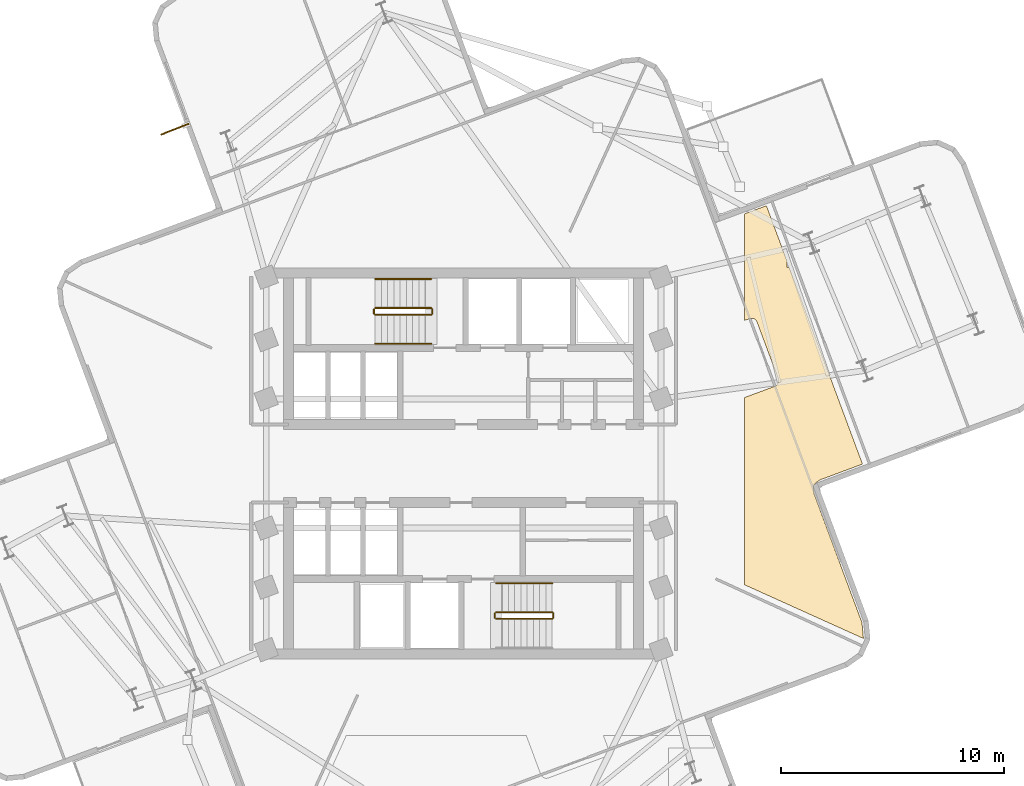
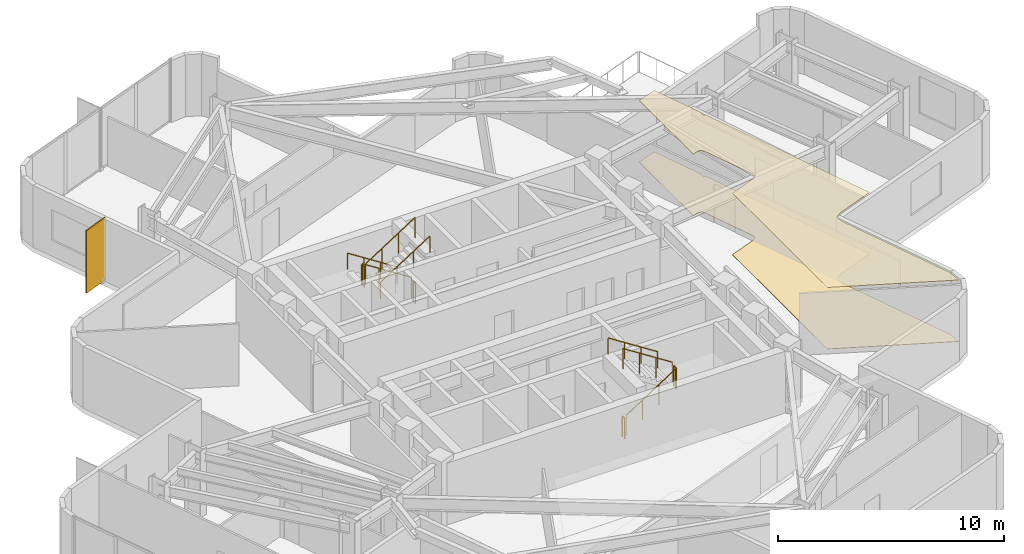
# One storey, part 10 of 11: 11 railings, 2 coverings, 1 shading device.
"""IFC4 building model written with IfcOpenShell, lengths in metres."""

from ifc_helpers import new_model, si_unit, direction, frame, origin, origin_2d, place, context, subcontext, project, spatial, polyline, rectangle, circle, outline, extrude, material, layer, layer_set, type_object, element, save


model = new_model("IFC4")

# Units and contexts
model_context = context("Model", 3, precision=1e-05, world=origin(), true_north=direction((0.0, 1.0)))
body_context = subcontext(model_context, "Body", "Model", "MODEL_VIEW")
ifc_project = project(units=[si_unit("LENGTHUNIT", "METRE"), si_unit("AREAUNIT", "SQUARE_METRE"), si_unit("VOLUMEUNIT", "CUBIC_METRE"), si_unit("PLANEANGLEUNIT", "RADIAN"), si_unit("MASSUNIT", "GRAM", prefix="KILO")], contexts=[model_context])

# Site, building, storey
site_placement = place(None, origin())
site = spatial("IfcSite", under=ifc_project, at=site_placement, CompositionType="ELEMENT")
building_placement = place(site_placement, origin())
building = spatial("IfcBuilding", under=site, at=building_placement, Name="Solmarez Civic Tower", CompositionType="ELEMENT")
storey_placement = place(building_placement, frame((0.0, 0.0, 170.280029296875)))
storey = spatial("IfcBuildingStorey", under=building, at=storey_placement, Name="L45", CompositionType="ELEMENT", Elevation=170.280029296875)

# Coverings
ifc_material_1 = material(Name="Perforated Mineral-Fibre Acoustic Ceiling")
ifc_layer_1 = layer(ifc_material_1, 0.02490234375)
ifc_layer_set_1 = layer_set([ifc_layer_1], Name="Perforated Mineral-Fibre Acoustic Ceiling")
covering_type_1 = type_object("IfcCoveringType", Name="COV-CEIL-ACOUSTIC", PredefinedType="CEILING", material=ifc_layer_set_1)
covering_1_placement = place(storey_placement, frame((0.0, 0.0, 3.31494140625)))
element("IfcCovering", 1, at=covering_1_placement, inside=storey, type_object=covering_type_1, Name="L45 Suspended Acoustic Ceiling 2", PredefinedType="CEILING", context=body_context, shape_type="SweptSolid", body=[
    extrude(outline(polyline([(12.60009765625, 11.194091796875), (12.60009765625, 6.4140625), (12.81396484375, 6.492919921875), (12.8310546875, 6.4990234375), (12.847900390625, 6.5029296875), (12.85302734375, 6.50390625), (12.85791015625, 6.5048828125), (12.87890625, 6.508056640625), (12.90087890625, 6.509033203125), (12.910888671875, 6.509033203125), (12.93505859375, 6.508056640625), (12.9580078125, 6.50390625), (12.98095703125, 6.498046875), (12.989990234375, 6.4951171875), (13.001953125, 6.489990234375), (13.007080078125, 6.488037109375), (13.02294921875, 6.48095703125), (13.031005859375, 6.47705078125), (13.052001953125, 6.465087890625), (13.071044921875, 6.450927734375), (13.089111328125, 6.43603515625), (13.093017578125, 6.431884765625), (13.10009765625, 6.425048828125), (13.115966796875, 6.406005859375), (13.131103515625, 6.385986328125), (13.135986328125, 6.3779296875), (13.14501953125, 6.361083984375), (13.153076171875, 6.343017578125), (13.155029296875, 6.337890625), (13.156982421875, 6.3330078125), (14.10009765625, 3.799072265625), (14.10595703125, 3.781982421875), (14.110107421875, 3.764892578125), (14.111083984375, 3.760009765625), (14.112060546875, 3.7548828125), (14.114990234375, 3.73388671875), (14.115966796875, 3.7119140625), (14.115966796875, 3.701904296875), (14.114990234375, 3.677978515625), (14.111083984375, 3.655029296875), (14.10498046875, 3.632080078125), (14.10205078125, 3.623046875), (14.096923828125, 3.611083984375), (14.094970703125, 3.60595703125), (14.087890625, 3.590087890625), (14.083984375, 3.58203125), (14.074951171875, 3.56494140625), (14.06396484375, 3.550048828125), (14.052978515625, 3.534912109375), (14.0458984375, 3.527099609375), (14.030029296875, 3.510986328125), (14.011962890625, 3.49609375), (14.008056640625, 3.492919921875), (13.992919921875, 3.48193359375), (13.985107421875, 3.47705078125), (13.968017578125, 3.468017578125), (13.949951171875, 3.4599609375), (13.945068359375, 3.4580078125), (13.93994140625, 3.4560546875), (12.60009765625, 2.9580078125), (12.60009765625, -5.444091796875), (17.919921875, -7.845947265625), (17.923095703125, -7.839111328125), (17.85693359375, -7.134033203125), (15.718994140625, -1.385009765625), (15.714111328125, -1.373046875), (15.70703125, -1.35009765625), (15.701904296875, -1.326904296875), (15.700927734375, -1.320068359375), (15.699951171875, -1.31298828125), (15.698974609375, -1.302001953125), (15.68310546875, -1.135009765625), (15.68310546875, -1.1298828125), (15.680908203125, -1.112060546875), (15.680908203125, -1.093994140625), (15.68310546875, -1.075927734375), (15.68408203125, -1.06396484375), (15.68505859375, -1.056884765625), (15.68994140625, -1.034912109375), (15.69189453125, -1.027099609375), (15.693115234375, -1.02001953125), (15.695068359375, -1.012939453125), (15.705078125, -0.986083984375), (15.7080078125, -0.97900390625), (15.717041015625, -0.9609375), (15.72705078125, -0.944091796875), (15.735107421875, -0.931884765625), (15.7490234375, -0.9130859375), (15.75390625, -0.906982421875), (15.76708984375, -0.89208984375), (15.781982421875, -0.87890625), (15.7880859375, -0.8740234375), (15.7939453125, -0.868896484375), (15.806884765625, -0.85888671875), (15.947021484375, -0.759033203125), (15.952880859375, -0.7548828125), (15.958984375, -0.7509765625), (15.98291015625, -0.737060546875), (15.989013671875, -0.73388671875), (16.0, -0.72900390625), (16.007080078125, -0.72607421875), (16.01708984375, -0.721923828125), (17.881103515625, -0.028076171875), (14.60498046875, 8.782958984375), (14.493896484375, 8.782958984375), (14.493896484375, 9.0810546875), (13.572998046875, 11.555908203125), (12.60009765625, 11.194091796875)])), origin(), (0.0, 0.0, 1.0), 0.025146484375),
])
ifc_material_2 = material(Name="Polished Tropical Stone Terrazzo Flooring", Category="masonry")
ifc_layer_2 = layer(ifc_material_2, 0.02001953125)
ifc_layer_set_2 = layer_set([ifc_layer_2], Name="Polished Tropical Stone Terrazzo Flooring")
covering_type_2 = type_object("IfcCoveringType", Name="COV-FLOOR-TERRAZZO", PredefinedType="FLOORING", material=ifc_layer_set_2)
covering_2_placement = place(storey_placement, origin())
element("IfcCovering", 2, at=covering_2_placement, inside=storey, type_object=covering_type_2, Name="L45 Terrazzo Floor Finish 2", PredefinedType="FLOORING", context=body_context, shape_type="SweptSolid", body=[
    extrude(outline(polyline([(12.60009765625, 11.194091796875), (12.60009765625, 6.4140625), (12.81396484375, 6.492919921875), (12.8310546875, 6.4990234375), (12.847900390625, 6.5029296875), (12.85302734375, 6.50390625), (12.85791015625, 6.5048828125), (12.87890625, 6.508056640625), (12.90087890625, 6.509033203125), (12.910888671875, 6.509033203125), (12.93505859375, 6.508056640625), (12.9580078125, 6.50390625), (12.98095703125, 6.498046875), (12.989990234375, 6.4951171875), (13.001953125, 6.489990234375), (13.007080078125, 6.488037109375), (13.02294921875, 6.48095703125), (13.031005859375, 6.47705078125), (13.052001953125, 6.465087890625), (13.071044921875, 6.450927734375), (13.089111328125, 6.43603515625), (13.093017578125, 6.431884765625), (13.10009765625, 6.425048828125), (13.115966796875, 6.406005859375), (13.131103515625, 6.385986328125), (13.135986328125, 6.3779296875), (13.14501953125, 6.361083984375), (13.153076171875, 6.343017578125), (13.155029296875, 6.337890625), (13.156982421875, 6.3330078125), (14.10009765625, 3.799072265625), (14.10595703125, 3.781982421875), (14.110107421875, 3.764892578125), (14.111083984375, 3.760009765625), (14.112060546875, 3.7548828125), (14.114990234375, 3.73388671875), (14.115966796875, 3.7119140625), (14.115966796875, 3.701904296875), (14.114990234375, 3.677978515625), (14.111083984375, 3.655029296875), (14.10498046875, 3.632080078125), (14.10205078125, 3.623046875), (14.096923828125, 3.611083984375), (14.094970703125, 3.60595703125), (14.087890625, 3.590087890625), (14.083984375, 3.58203125), (14.074951171875, 3.56494140625), (14.06396484375, 3.550048828125), (14.052978515625, 3.534912109375), (14.0458984375, 3.527099609375), (14.030029296875, 3.510986328125), (14.011962890625, 3.49609375), (14.008056640625, 3.492919921875), (13.992919921875, 3.48193359375), (13.985107421875, 3.47705078125), (13.968017578125, 3.468017578125), (13.949951171875, 3.4599609375), (13.945068359375, 3.4580078125), (13.93994140625, 3.4560546875), (12.60009765625, 2.9580078125), (12.60009765625, -5.444091796875), (17.919921875, -7.845947265625), (17.923095703125, -7.839111328125), (17.85693359375, -7.134033203125), (15.718994140625, -1.385009765625), (15.714111328125, -1.373046875), (15.70703125, -1.35009765625), (15.701904296875, -1.326904296875), (15.700927734375, -1.320068359375), (15.699951171875, -1.31298828125), (15.698974609375, -1.302001953125), (15.68310546875, -1.135009765625), (15.68310546875, -1.1298828125), (15.680908203125, -1.112060546875), (15.680908203125, -1.093994140625), (15.68310546875, -1.075927734375), (15.68408203125, -1.06396484375), (15.68505859375, -1.056884765625), (15.68994140625, -1.034912109375), (15.69189453125, -1.027099609375), (15.693115234375, -1.02001953125), (15.695068359375, -1.012939453125), (15.705078125, -0.986083984375), (15.7080078125, -0.97900390625), (15.717041015625, -0.9609375), (15.72705078125, -0.944091796875), (15.735107421875, -0.931884765625), (15.7490234375, -0.9130859375), (15.75390625, -0.906982421875), (15.76708984375, -0.89208984375), (15.781982421875, -0.87890625), (15.7880859375, -0.8740234375), (15.7939453125, -0.868896484375), (15.806884765625, -0.85888671875), (15.947021484375, -0.759033203125), (15.952880859375, -0.7548828125), (15.958984375, -0.7509765625), (15.98291015625, -0.737060546875), (15.989013671875, -0.73388671875), (16.0, -0.72900390625), (16.007080078125, -0.72607421875), (16.01708984375, -0.721923828125), (17.881103515625, -0.028076171875), (14.60498046875, 8.782958984375), (14.493896484375, 8.782958984375), (14.493896484375, 9.0810546875), (13.572998046875, 11.555908203125), (12.60009765625, 11.194091796875)])), origin(), (0.0, 0.0, 1.0), 0.02001953125),
])

# Shading device
ifc_material_3 = material(Name="Bronze Anodised Aluminium EN AW-6063 T6", Category="aluminium")
ifc_layer_3 = layer(ifc_material_3, 0.06005859375)
ifc_layer_set_3 = layer_set([ifc_layer_3], Name="Bronze Anodised Aluminium EN AW-6063 T6")
shading_device_type = type_object("IfcShadingDeviceType", Name="FIN-BRONZE-Z34", PredefinedType="USERDEFINED", material=ifc_layer_set_3)
shading_device_placement = place(storey_placement, frame((-12.949951171875, 14.985107421875, -0.0400390625), z_axis=(0.0, 0.0, 1.0), x_axis=(-0.930270369999, -0.366874690734, 0.0)))
element("IfcShadingDevice", 3, at=shading_device_placement, inside=storey, type_object=shading_device_type, Name="L45 Anodised Bronze Solar Fin FIN-L45-03", ObjectType="FIN", PredefinedType="USERDEFINED", context=body_context, shape_type="SweptSolid", body=[
    extrude(rectangle(XDim=1.35009765625, YDim=0.06005859375, at=origin_2d()), origin(), (0.0, 0.0, 1.0), 3.3798828125),
])

# Railings
ifc_material_4 = material(Name="Painted Steel Stairwell Safety Guard", Category="steel")
railing_type_1 = type_object("IfcRailingType", Name="GUARD-STAIR-1120", PredefinedType="BALUSTRADE", material=ifc_material_4)
railing_1_placement = place(storey_placement, frame((-1.449951171875, 6.969970703125, 0.179931640625)))
element("IfcRailing", 4, at=railing_1_placement, inside=storey, type_object=railing_type_1, Name="L45 ST-1 stair guard 1", PredefinedType="BALUSTRADE", context=body_context, shape_type="SweptSolid", body=[
    extrude(circle(Radius=0.02392578125, at=origin_2d()), frame((0.0, 0.0, 1.09619140625), z_axis=(-0.841162588446, 0.0, 0.540782303519), x_axis=(0.0, -1.0, 0.0)), (0.0, 0.0, 1.0), 2.995849609375),
    extrude(circle(Radius=0.02099609375, at=origin_2d()), origin(), (0.0, 0.0, 1.0), 1.072021484375),
    extrude(circle(Radius=0.02099609375, at=origin_2d()), frame((-0.840087890625, 0.0, 0.5400390625)), (0.0, 0.0, 1.0), 1.072021484375),
    extrude(circle(Radius=0.02099609375, at=origin_2d()), frame((-1.679931640625, 0.0, 1.080078125)), (0.0, 0.0, 1.0), 1.072021484375),
    extrude(circle(Radius=0.02099609375, at=origin_2d()), frame((-2.52001953125, 0.0, 1.6201171875)), (0.0, 0.0, 1.0), 1.072021484375),
])
railing_2_placement = place(storey_placement, frame((-4.02001953125, 6.919921875, 1.800048828125)))
element("IfcRailing", 5, at=railing_2_placement, inside=storey, type_object=railing_type_1, Name="L45 ST-1 stair guard 2", PredefinedType="BALUSTRADE", context=body_context, shape_type="SweptSolid", body=[
    extrude(circle(Radius=0.02392578125, at=origin_2d()), frame((0.0, 0.0, 1.09619140625), z_axis=(0.0, -1.0, 0.0), x_axis=(1.0, 0.0, 0.0)), (0.0, 0.0, 1.0), 0.199951171875),
    extrude(circle(Radius=0.02099609375, at=origin_2d()), origin(), (0.0, 0.0, 1.0), 1.072021484375),
    extrude(circle(Radius=0.02099609375, at=origin_2d()), frame((0.0, -0.199951171875, 0.0)), (0.0, 0.0, 1.0), 1.072021484375),
])
railing_3_placement = place(storey_placement, frame((-3.969970703125, 6.669921875, 1.97998046875)))
element("IfcRailing", 6, at=railing_3_placement, inside=storey, type_object=railing_type_1, Name="L45 ST-1 stair guard 3", PredefinedType="BALUSTRADE", context=body_context, shape_type="SweptSolid", body=[
    extrude(circle(Radius=0.02392578125, at=origin_2d()), frame((0.0, 0.0, 1.09619140625), z_axis=(0.841199657755, 0.0, 0.540724639528), x_axis=(0.0, 1.0, 0.0)), (0.0, 0.0, 1.0), 2.995849609375),
    extrude(circle(Radius=0.02099609375, at=origin_2d()), origin(), (0.0, 0.0, 1.0), 1.072021484375),
    extrude(circle(Radius=0.02099609375, at=origin_2d()), frame((0.840087890625, 0.0, 0.5400390625)), (0.0, 0.0, 1.0), 1.072021484375),
    extrude(circle(Radius=0.02099609375, at=origin_2d()), frame((1.679931640625, 0.0, 1.079833984375)), (0.0, 0.0, 1.0), 1.072021484375),
    extrude(circle(Radius=0.02099609375, at=origin_2d()), frame((2.52001953125, 0.0, 1.619873046875)), (0.0, 0.0, 1.0), 1.072021484375),
])
railing_4_placement = place(storey_placement, frame((-1.39990234375, 6.919921875, 0.0)))
element("IfcRailing", 7, at=railing_4_placement, inside=storey, type_object=railing_type_1, Name="L45 ST-1 stair guard 4", PredefinedType="BALUSTRADE", context=body_context, shape_type="SweptSolid", body=[
    extrude(circle(Radius=0.02392578125, at=origin_2d()), frame((0.0, 0.0, 1.09619140625), z_axis=(0.0, -1.0, 0.0), x_axis=(1.0, 0.0, 0.0)), (0.0, 0.0, 1.0), 0.199951171875),
    extrude(circle(Radius=0.02099609375, at=origin_2d()), origin(), (0.0, 0.0, 1.0), 1.072021484375),
    extrude(circle(Radius=0.02099609375, at=origin_2d()), frame((0.0, -0.199951171875, 0.0)), (0.0, 0.0, 1.0), 1.072021484375),
])
railing_5_placement = place(storey_placement, frame((1.449951171875, -6.969970703125, 0.179931640625)))
element("IfcRailing", 8, at=railing_5_placement, inside=storey, type_object=railing_type_1, Name="L45 ST-2 stair guard 1", PredefinedType="BALUSTRADE", context=body_context, shape_type="SweptSolid", body=[
    extrude(circle(Radius=0.02392578125, at=origin_2d()), frame((0.0, 0.0, 1.09619140625), z_axis=(0.841162588446, 0.0, 0.540782303519), x_axis=(0.0, 1.0, 0.0)), (0.0, 0.0, 1.0), 2.995849609375),
    extrude(circle(Radius=0.02099609375, at=origin_2d()), origin(), (0.0, 0.0, 1.0), 1.072021484375),
    extrude(circle(Radius=0.02099609375, at=origin_2d()), frame((0.840087890625, 0.0, 0.5400390625)), (0.0, 0.0, 1.0), 1.072021484375),
    extrude(circle(Radius=0.02099609375, at=origin_2d()), frame((1.679931640625, 0.0, 1.080078125)), (0.0, 0.0, 1.0), 1.072021484375),
    extrude(circle(Radius=0.02099609375, at=origin_2d()), frame((2.52001953125, 0.0, 1.6201171875)), (0.0, 0.0, 1.0), 1.072021484375),
])
railing_6_placement = place(storey_placement, frame((4.02001953125, -6.919921875, 1.800048828125)))
element("IfcRailing", 9, at=railing_6_placement, inside=storey, type_object=railing_type_1, Name="L45 ST-2 stair guard 2", PredefinedType="BALUSTRADE", context=body_context, shape_type="SweptSolid", body=[
    extrude(circle(Radius=0.02392578125, at=origin_2d()), frame((0.0, 0.0, 1.09619140625), z_axis=(0.0, 1.0, 0.0), x_axis=(-1.0, 0.0, 0.0)), (0.0, 0.0, 1.0), 0.199951171875),
    extrude(circle(Radius=0.02099609375, at=origin_2d()), origin(), (0.0, 0.0, 1.0), 1.072021484375),
    extrude(circle(Radius=0.02099609375, at=origin_2d()), frame((0.0, 0.199951171875, 0.0)), (0.0, 0.0, 1.0), 1.072021484375),
])
railing_7_placement = place(storey_placement, frame((3.969970703125, -6.669921875, 1.97998046875)))
element("IfcRailing", 10, at=railing_7_placement, inside=storey, type_object=railing_type_1, Name="L45 ST-2 stair guard 3", PredefinedType="BALUSTRADE", context=body_context, shape_type="SweptSolid", body=[
    extrude(circle(Radius=0.02392578125, at=origin_2d()), frame((0.0, 0.0, 1.09619140625), z_axis=(-0.841199657755, 0.0, 0.540724639528), x_axis=(0.0, -1.0, 0.0)), (0.0, 0.0, 1.0), 2.995849609375),
    extrude(circle(Radius=0.02099609375, at=origin_2d()), origin(), (0.0, 0.0, 1.0), 1.072021484375),
    extrude(circle(Radius=0.02099609375, at=origin_2d()), frame((-0.840087890625, 0.0, 0.5400390625)), (0.0, 0.0, 1.0), 1.072021484375),
    extrude(circle(Radius=0.02099609375, at=origin_2d()), frame((-1.679931640625, 0.0, 1.079833984375)), (0.0, 0.0, 1.0), 1.072021484375),
    extrude(circle(Radius=0.02099609375, at=origin_2d()), frame((-2.52001953125, 0.0, 1.619873046875)), (0.0, 0.0, 1.0), 1.072021484375),
])
railing_8_placement = place(storey_placement, frame((1.39990234375, -6.919921875, 0.0)))
element("IfcRailing", 11, at=railing_8_placement, inside=storey, type_object=railing_type_1, Name="L45 ST-2 stair guard 4", PredefinedType="BALUSTRADE", context=body_context, shape_type="SweptSolid", body=[
    extrude(circle(Radius=0.02392578125, at=origin_2d()), frame((0.0, 0.0, 1.09619140625), z_axis=(0.0, 1.0, 0.0), x_axis=(-1.0, 0.0, 0.0)), (0.0, 0.0, 1.0), 0.199951171875),
    extrude(circle(Radius=0.02099609375, at=origin_2d()), origin(), (0.0, 0.0, 1.0), 1.072021484375),
    extrude(circle(Radius=0.02099609375, at=origin_2d()), frame((0.0, 0.199951171875, 0.0)), (0.0, 0.0, 1.0), 1.072021484375),
])
ifc_material_5 = material(Name="Brushed Stainless Steel Tube Handrail", Category="steel")
railing_type_2 = type_object("IfcRailingType", Name="HANDRAIL-STAIR-900", PredefinedType="HANDRAIL", material=ifc_material_5)
railing_9_placement = place(storey_placement, frame((-1.449951171875, 8.27001953125, 0.179931640625)))
element("IfcRailing", 12, at=railing_9_placement, inside=storey, type_object=railing_type_2, Name="L45 ST-1 stair handrail 1", PredefinedType="HANDRAIL", context=body_context, shape_type="SweptSolid", body=[
    extrude(circle(Radius=0.02392578125, at=origin_2d()), frame((0.0, 0.0, 0.8759765625), z_axis=(-0.841162588446, 0.0, 0.540782303519), x_axis=(0.0, -1.0, 0.0)), (0.0, 0.0, 1.0), 2.995849609375),
    extrude(circle(Radius=0.02099609375, at=origin_2d()), origin(), (0.0, 0.0, 1.0), 0.851806640625),
    extrude(circle(Radius=0.02099609375, at=origin_2d()), frame((-0.840087890625, 0.0, 0.5400390625)), (0.0, 0.0, 1.0), 0.851806640625),
    extrude(circle(Radius=0.02099609375, at=origin_2d()), frame((-1.679931640625, 0.0, 1.080078125)), (0.0, 0.0, 1.0), 0.851806640625),
    extrude(circle(Radius=0.02099609375, at=origin_2d()), frame((-2.52001953125, 0.0, 1.6201171875)), (0.0, 0.0, 1.0), 0.851806640625),
])
railing_10_placement = place(storey_placement, frame((-3.969970703125, 5.3701171875, 1.97998046875)))
element("IfcRailing", 13, at=railing_10_placement, inside=storey, type_object=railing_type_2, Name="L45 ST-1 stair handrail 2", PredefinedType="HANDRAIL", context=body_context, shape_type="SweptSolid", body=[
    extrude(circle(Radius=0.02392578125, at=origin_2d()), frame((0.0, 0.0, 0.8759765625), z_axis=(0.841199657755, 0.0, 0.540724639528), x_axis=(0.0, 1.0, 0.0)), (0.0, 0.0, 1.0), 2.995849609375),
    extrude(circle(Radius=0.02099609375, at=origin_2d()), origin(), (0.0, 0.0, 1.0), 0.851806640625),
    extrude(circle(Radius=0.02099609375, at=origin_2d()), frame((0.840087890625, 0.0, 0.5400390625)), (0.0, 0.0, 1.0), 0.851806640625),
    extrude(circle(Radius=0.02099609375, at=origin_2d()), frame((1.679931640625, 0.0, 1.079833984375)), (0.0, 0.0, 1.0), 0.851806640625),
    extrude(circle(Radius=0.02099609375, at=origin_2d()), frame((2.52001953125, 0.0, 1.619873046875)), (0.0, 0.0, 1.0), 0.851806640625),
])
railing_11_placement = place(storey_placement, frame((3.969970703125, -5.3701171875, 1.97998046875)))
element("IfcRailing", 14, at=railing_11_placement, inside=storey, type_object=railing_type_2, Name="L45 ST-2 stair handrail 2", PredefinedType="HANDRAIL", context=body_context, shape_type="SweptSolid", body=[
    extrude(circle(Radius=0.02392578125, at=origin_2d()), frame((0.0, 0.0, 0.8759765625), z_axis=(-0.841199657755, 0.0, 0.540724639528), x_axis=(0.0, -1.0, 0.0)), (0.0, 0.0, 1.0), 2.995849609375),
    extrude(circle(Radius=0.02099609375, at=origin_2d()), origin(), (0.0, 0.0, 1.0), 0.851806640625),
    extrude(circle(Radius=0.02099609375, at=origin_2d()), frame((-0.840087890625, 0.0, 0.5400390625)), (0.0, 0.0, 1.0), 0.851806640625),
    extrude(circle(Radius=0.02099609375, at=origin_2d()), frame((-1.679931640625, 0.0, 1.079833984375)), (0.0, 0.0, 1.0), 0.851806640625),
    extrude(circle(Radius=0.02099609375, at=origin_2d()), frame((-2.52001953125, 0.0, 1.619873046875)), (0.0, 0.0, 1.0), 0.851806640625),
])

save(model, "model.ifc")
